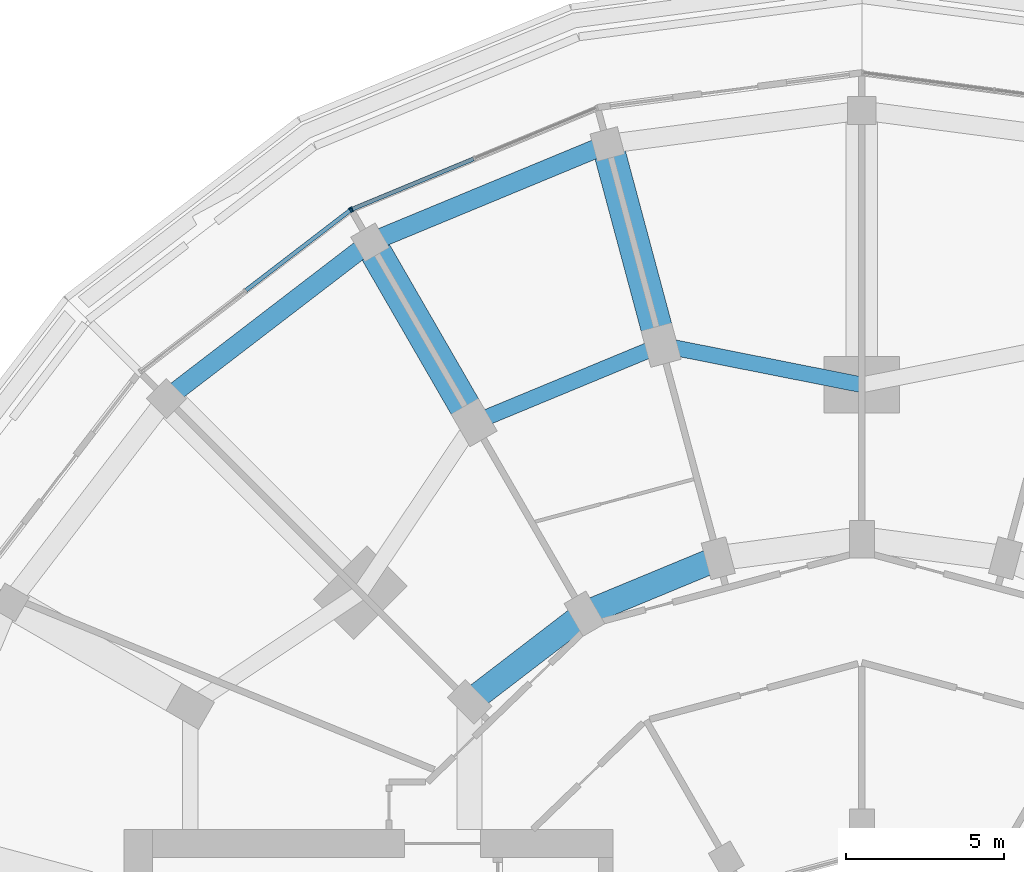
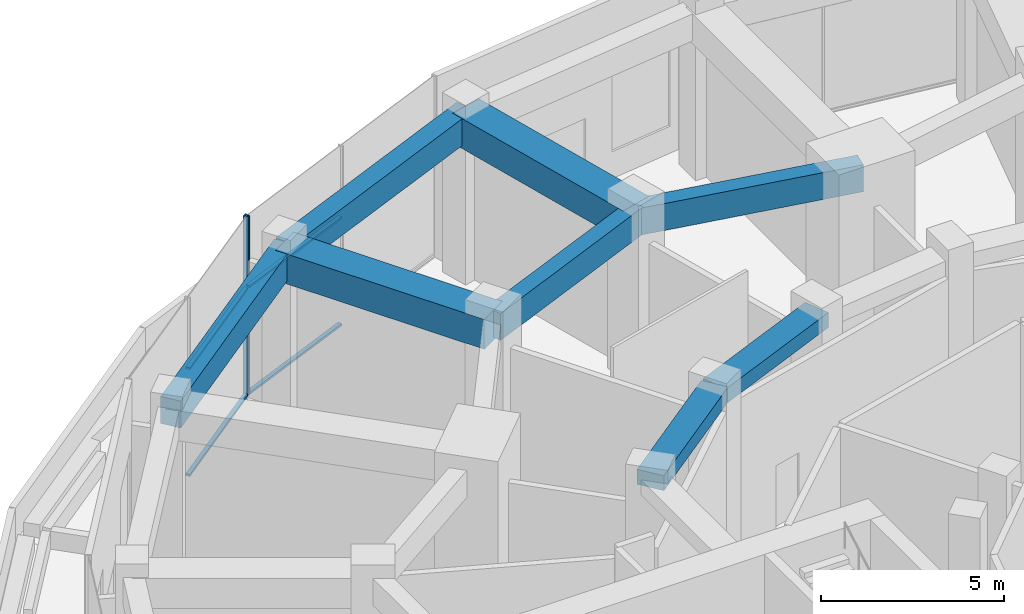
# One storey, part 8 of 23: 8 beams, 6 members, 2 elements without a shape of their own.
"""IFC4 building model written with IfcOpenShell, lengths in metres."""

from ifc_helpers import new_model, si_unit, direction, frame, origin, origin_2d, place, context, subcontext, project, spatial, rectangle, extrude, material, layer, layer_set, material_profile, profile_set, type_object, element, aggregate, save


model = new_model("IFC4")

# Units and contexts
model_context = context("Model", 3, precision=1e-05, world=origin(), true_north=direction((0.0, 1.0)))
body_context = subcontext(model_context, "Body", "Model", "MODEL_VIEW")
ifc_project = project(units=[si_unit("LENGTHUNIT", "METRE"), si_unit("AREAUNIT", "SQUARE_METRE"), si_unit("VOLUMEUNIT", "CUBIC_METRE"), si_unit("PLANEANGLEUNIT", "RADIAN"), si_unit("MASSUNIT", "GRAM", prefix="KILO")], contexts=[model_context])

# Site, building, storey
site_placement = place(None, origin())
site = spatial("IfcSite", under=ifc_project, at=site_placement, CompositionType="ELEMENT")
building_placement = place(site_placement, origin())
building = spatial("IfcBuilding", under=site, at=building_placement, Name="Torre Brocal", CompositionType="ELEMENT")
storey_placement = place(building_placement, frame((0.0, 0.0, 17.800048828125)))
storey = spatial("IfcBuildingStorey", under=building, at=storey_placement, Name="L03", CompositionType="ELEMENT", Elevation=17.800048828125)

# Curtain wall, member
ifc_material_1 = material(Name="Aluminium and glass", Category="aluminium")
ifc_layer = layer(ifc_material_1, 0.199951171875)
ifc_layer_set = layer_set([ifc_layer], Name="Aluminium and glass")
curtain_wall_type = type_object("IfcCurtainWallType", Name="CW-6 CURTAIN WALL 6000 HIGH", PredefinedType="NOTDEFINED", material=ifc_layer_set)
curtain_wall_1_placement = place(storey_placement, origin())
curtain_wall_1 = element("IfcCurtainWall", 1, at=curtain_wall_1_placement, inside=storey, type_object=curtain_wall_type, Name="CW-6 RUN 8", PredefinedType="NOTDEFINED")
ifc_material_2 = material(Name="Aluminium, dark anodised", Category="aluminium")
ifc_material_profile_1 = material_profile(ifc_material_2, rectangle(XDim=0.159912109375, YDim=0.050048828125, at=origin_2d()), Name="CW-6 MULLION 50X160")
ifc_profile_set_1 = profile_set([ifc_material_profile_1], Name="Aluminium, dark anodised")
member_type_1 = type_object("IfcMemberType", Name="CW-6 MULLION 50X160", PredefinedType="MULLION", material=ifc_profile_set_1)
member_1_placement = place(storey_placement, frame((63.823486328125, 103.068115234375, 0.0), z_axis=(0.0, 0.0, 1.0), x_axis=(0.382683432301, -0.923879532538, 0.0)))
member_1 = element("IfcMember", 2, at=member_1_placement, type_object=member_type_1, Name="CW6-2 mullion 3", PredefinedType="MULLION", context=body_context, shape_type="SweptSolid", body=[
    extrude(rectangle(XDim=0.159912109375, YDim=0.050048828125, at=origin_2d()), origin(), (0.0, 0.0, 1.0), 6.0),
])

curtain_wall_2_placement = place(storey_placement, origin())
curtain_wall_2 = element("IfcCurtainWall", 3, at=curtain_wall_2_placement, inside=storey, type_object=curtain_wall_type, Name="CW-6 RUN 9", PredefinedType="NOTDEFINED")
member_2_placement = place(storey_placement, frame((63.780517578125, 103.043212890625, 0.0), z_axis=(0.0, 0.0, 1.0), x_axis=(0.608761429009, -0.793353340291, 0.0)))
member_2 = element("IfcMember", 4, at=member_2_placement, type_object=member_type_1, Name="CW6-2 mullion 1", PredefinedType="MULLION", context=body_context, shape_type="SweptSolid", body=[
    extrude(rectangle(XDim=0.159912109375, YDim=0.050048828125, at=origin_2d()), origin(), (0.0, 0.0, 1.0), 6.0),
])

# Member
ifc_material_3 = material(Name="Aluminium, dark anodised", Category="aluminium")
ifc_material_profile_2 = material_profile(ifc_material_3, rectangle(XDim=0.1298828125, YDim=0.070068359375, at=origin_2d()), Name="CW-6 TRANSOM 130X70")
ifc_profile_set_2 = profile_set([ifc_material_profile_2], Name="Aluminium, dark anodised")
member_type_2 = type_object("IfcMemberType", Name="CW-6 TRANSOM 130X70", PredefinedType="USERDEFINED", material=ifc_profile_set_2)
member_3_placement = place(storey_placement, frame((67.684326171875, 104.667236328125, 0.034912109375), z_axis=(-0.923880010179, -0.38268227917, 0.0), x_axis=(0.38268227917, -0.923880010179, 0.0)))
member_3 = element("IfcMember", 5, at=member_3_placement, type_object=member_type_2, Name="CW6-2 transom 2.1", ObjectType="TRANSOM", PredefinedType="USERDEFINED", context=body_context, shape_type="SweptSolid", body=[
    extrude(rectangle(XDim=0.1298828125, YDim=0.070068359375, at=origin_2d()), origin(), (0.0, 0.0, 1.0), 4.15380859375),
])

member_4_placement = place(storey_placement, frame((67.684326171875, 104.667236328125, 3.599853515625), z_axis=(-0.923880010179, -0.38268227917, 0.0), x_axis=(0.38268227917, -0.923880010179, 0.0)))
member_4 = element("IfcMember", 6, at=member_4_placement, type_object=member_type_2, Name="CW6-2 transom 2.2", ObjectType="TRANSOM", PredefinedType="USERDEFINED", context=body_context, shape_type="SweptSolid", body=[
    extrude(rectangle(XDim=0.1298828125, YDim=0.070068359375, at=origin_2d()), origin(), (0.0, 0.0, 1.0), 4.15380859375),
])

aggregate(curtain_wall_1, [member_1, member_3, member_4])

member_5_placement = place(storey_placement, frame((63.7607421875, 103.028076171875, 0.034912109375), z_axis=(-0.793335731777, -0.608784376185, 0.0), x_axis=(0.608784376185, -0.793335731777, 0.0)))
member_5 = element("IfcMember", 7, at=member_5_placement, type_object=member_type_2, Name="CW6-2 transom 1.1", ObjectType="TRANSOM", PredefinedType="USERDEFINED", context=body_context, shape_type="SweptSolid", body=[
    extrude(rectangle(XDim=0.1298828125, YDim=0.070068359375, at=origin_2d()), origin(), (0.0, 0.0, 1.0), 4.15380859375),
])

member_6_placement = place(storey_placement, frame((63.7607421875, 103.028076171875, 3.599853515625), z_axis=(-0.793335731777, -0.608784376185, 0.0), x_axis=(0.608784376185, -0.793335731777, 0.0)))
member_6 = element("IfcMember", 8, at=member_6_placement, type_object=member_type_2, Name="CW6-2 transom 1.2", ObjectType="TRANSOM", PredefinedType="USERDEFINED", context=body_context, shape_type="SweptSolid", body=[
    extrude(rectangle(XDim=0.1298828125, YDim=0.070068359375, at=origin_2d()), origin(), (0.0, 0.0, 1.0), 4.15380859375),
])

aggregate(curtain_wall_2, [member_2, member_5, member_6])

# Beams
ifc_material_4 = material(Name="Concrete C50", Category="concrete")
ifc_material_profile_3 = material_profile(ifc_material_4, rectangle(XDim=0.60009765625, YDim=0.89990234375, at=origin_2d()), Name="RC 600X900")
ifc_profile_set_3 = profile_set([ifc_material_profile_3], Name="Concrete C50")
beam_type_1 = type_object("IfcBeamType", Name="RC BEAM 600X900 C50 TOP 5550", PredefinedType="BEAM", material=ifc_profile_set_3)
beam_1_placement = place(storey_placement, frame((71.9248046875, 105.136962890625, 5.099853515625), z_axis=(-0.923878371212, -0.382686235977, 0.0), x_axis=(0.382686235977, -0.923878371212, 0.0)))
element("IfcBeam", 9, at=beam_1_placement, inside=storey, type_object=beam_type_1, Name="Beam BT-13", PredefinedType="BEAM", context=body_context, shape_type="SweptSolid", body=[
    extrude(rectangle(XDim=0.60009765625, YDim=0.89990234375, at=origin_2d()), origin(), (0.0, 0.0, 1.0), 8.14501953125),
])
beam_2_placement = place(storey_placement, frame((64.39990234375, 102.02001953125, 5.099853515625), z_axis=(-0.793351073076, -0.608764383689, 0.0), x_axis=(0.608764383689, -0.793351073076, 0.0)))
element("IfcBeam", 10, at=beam_2_placement, inside=storey, type_object=beam_type_1, Name="Beam BT-13", PredefinedType="BEAM", context=body_context, shape_type="SweptSolid", body=[
    extrude(rectangle(XDim=0.60009765625, YDim=0.89990234375, at=origin_2d()), origin(), (0.0, 0.0, 1.0), 8.144775390625),
])
ifc_material_5 = material(Name="Concrete C50", Category="concrete")
ifc_material_profile_4 = material_profile(ifc_material_5, rectangle(XDim=0.800048828125, YDim=0.5, at=origin_2d()), Name="RC 800X500")
ifc_profile_set_4 = profile_set([ifc_material_profile_4], Name="Concrete C50")
beam_type_2 = type_object("IfcBeamType", Name="RC BEAM 800X500 C50 TOP 5550", PredefinedType="BEAM", material=ifc_profile_set_4)
beam_3_placement = place(storey_placement, frame((75.44482421875, 92.000244140625, 5.300048828125), z_axis=(-0.923878240166, -0.382686552348, 0.0), x_axis=(0.382686552348, -0.923878240166, 0.0)))
element("IfcBeam", 11, at=beam_3_placement, inside=storey, type_object=beam_type_2, Name="Beam BT-14", PredefinedType="BEAM", context=body_context, shape_type="SweptSolid", body=[
    extrude(rectangle(XDim=0.800048828125, YDim=0.5, at=origin_2d()), origin(), (0.0, 0.0, 1.0), 4.5947265625),
])
beam_4_placement = place(storey_placement, frame((71.199951171875, 90.241943359375, 5.300048828125), z_axis=(-0.793358265959, -0.6087550097, 0.0), x_axis=(0.6087550097, -0.793358265959, 0.0)))
element("IfcBeam", 12, at=beam_4_placement, inside=storey, type_object=beam_type_2, Name="Beam BT-14", PredefinedType="BEAM", context=body_context, shape_type="SweptSolid", body=[
    extrude(rectangle(XDim=0.800048828125, YDim=0.5, at=origin_2d()), origin(), (0.0, 0.0, 1.0), 4.594482421875),
])
ifc_material_6 = material(Name="Concrete C50", Category="concrete")
ifc_material_profile_5 = material_profile(ifc_material_6, rectangle(XDim=0.5, YDim=0.89990234375, at=origin_2d()), Name="RC 500X900")
ifc_profile_set_5 = profile_set([ifc_material_profile_5], Name="Concrete C50")
beam_type_3 = type_object("IfcBeamType", Name="RC SPANDREL BEAM 500X900 C50 TOP 5550", PredefinedType="SPANDREL", material=ifc_profile_set_5)
beam_5_placement = place(storey_placement, frame((80.0, 97.5, 5.099853515625), z_axis=(-0.980924907484, 0.194387051723, 0.0), x_axis=(-0.194387051723, -0.980924907484, 0.0)))
element("IfcBeam", 13, at=beam_5_placement, inside=storey, type_object=beam_type_3, Name="Beam BT-15", PredefinedType="SPANDREL", context=body_context, shape_type="SweptSolid", body=[
    extrude(rectangle(XDim=0.5, YDim=0.89990234375, at=origin_2d()), origin(), (0.0, 0.0, 1.0), 6.49072265625),
])
beam_6_placement = place(storey_placement, frame((73.633056640625, 98.76171875, 5.099853515625), z_axis=(-0.923882462513, -0.382676358639, 0.0), x_axis=(0.382676358639, -0.923882462513, 0.0)))
element("IfcBeam", 14, at=beam_6_placement, inside=storey, type_object=beam_type_3, Name="Beam BT-15", PredefinedType="SPANDREL", context=body_context, shape_type="SweptSolid", body=[
    extrude(rectangle(XDim=0.5, YDim=0.89990234375, at=origin_2d()), origin(), (0.0, 0.0, 1.0), 6.421875),
])
ifc_material_7 = material(Name="Concrete C60", Category="concrete")
ifc_material_profile_6 = material_profile(ifc_material_7, rectangle(XDim=1.0, YDim=1.0, at=origin_2d()), Name="RC 1000X1000")
ifc_profile_set_6 = profile_set([ifc_material_profile_6], Name="Concrete C60")
beam_type_4 = type_object("IfcBeamType", Name="RC TRANSFER GIRDER 1000X1000 C60 TOP 5550", PredefinedType="BEAM", material=ifc_profile_set_6)
for number, where, z_axis, x_axis, name in (
    (15, (67.699951171875, 96.30419921875, 5.050048828125), (-0.500002094529, 0.866024194504, 0.0), (-0.866024194504, -0.500002094529, 0.0), "Beam TG-04"),
    (16, (73.633056640625, 98.76171875, 5.050048828125), (-0.258820520092, 0.965925431066, 0.0), (-0.965925431066, -0.258820520092, 0.0), "Beam TG-04"),
):
    element("IfcBeam", number, at=place(storey_placement, frame(where, z_axis=z_axis, x_axis=x_axis)), inside=storey, type_object=beam_type_4, Name=name, PredefinedType="BEAM", context=body_context, shape_type="SweptSolid", body=[
        extrude(rectangle(XDim=1.0, YDim=1.0, at=origin_2d()), origin(), (0.0, 0.0, 1.0), 6.60009765625),
    ])

save(model, "model.ifc")
